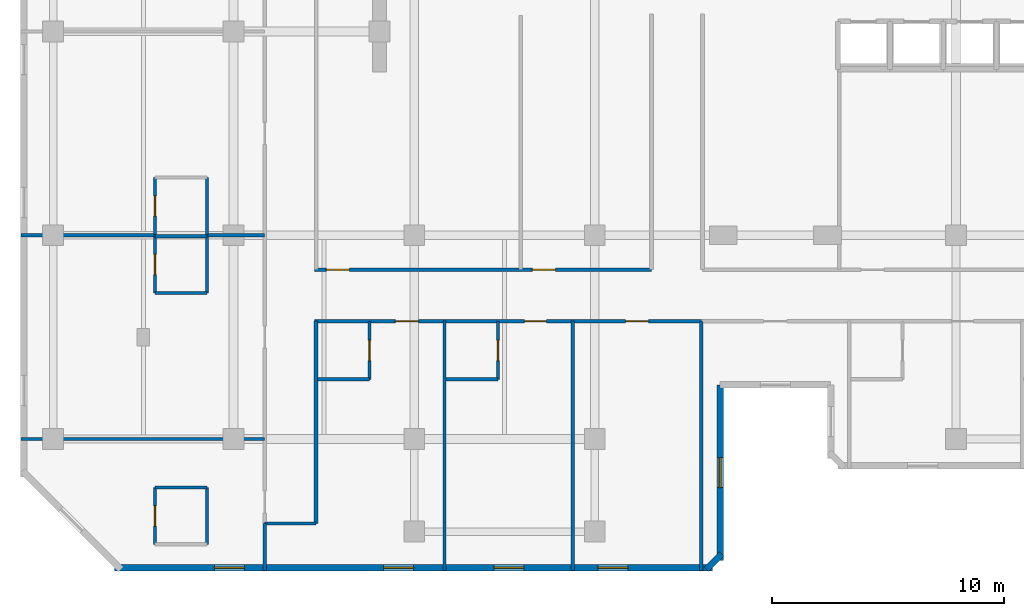
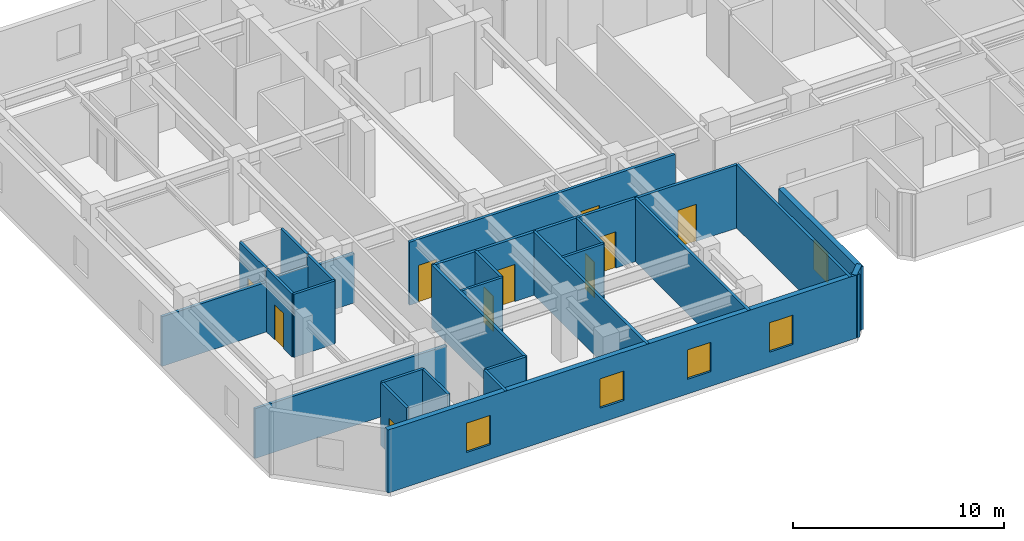
# One storey, part 4 of 10: 27 walls, 10 doors, 5 windows, 15 openings.
"""IFC4 building model written with IfcOpenShell, lengths in metres."""

import ifcopenshell
import ifcopenshell.guid

model = None  # the IFC model being written
_history = None  # IfcOwnerHistory: only IFC2X3 demands one
_inside = {}  # id of a spatial element -> (the spatial element, [elements in it])
_under = {}  # id of a project, library or spatial element -> (it, [spatial elements below it])
_declared = {}  # id of a project -> (the project, [libraries it declares])
_typed = {}  # id of a type object -> (the type object, [elements of that type])
_made_of = {}  # id of a material, layer set ... -> (it, [elements and type objects made of it])


def new_model(schema):
    """Start an empty IFC model of exactly this schema.

    Asked for "IFC4X3", IfcOpenShell would pick the latest addendum, in which some entities
    have other attributes; the version numbers below select the first issue.
    IFC2X3 requires an IfcOwnerHistory on every rooted entity: one is made here for all.
    """
    global model, _history
    if schema == "IFC4X3":
        model = ifcopenshell.file(schema_version=(4, 3, 0, 0))
    else:
        model = ifcopenshell.file(schema=schema)
    _inside.clear()
    _under.clear()
    _declared.clear()
    _typed.clear()
    _made_of.clear()
    _history = None
    if model.schema == "IFC2X3":
        org = make("IfcOrganization", Name="unknown")
        user = make(
            "IfcPersonAndOrganization",
            ThePerson=make("IfcPerson", FamilyName="unknown"),
            TheOrganization=org,
        )
        app = make(
            "IfcApplication",
            ApplicationDeveloper=org,
            Version="unknown",
            ApplicationFullName="unknown",
            ApplicationIdentifier="unknown",
        )
        _history = make(
            "IfcOwnerHistory",
            OwningUser=user,
            OwningApplication=app,
            ChangeAction="ADDED",
            CreationDate=0,
        )
    return model


def make(cls, **values):
    """One entity of the class cls with the attributes given. An attribute that is None is left unset."""
    return model.create_entity(
        cls, **{name: value for name, value in values.items() if value is not None}
    )


def rooted(cls, **values):
    """An entity with a GlobalId (a new one), such as an element, a storey or a relation."""
    return make(cls, GlobalId=ifcopenshell.guid.new(), OwnerHistory=_history, **values)


def si_unit(unit_type, name, prefix=None):
    """IfcSIUnit, for example si_unit("LENGTHUNIT", "METRE", prefix="MILLI")."""
    return make("IfcSIUnit", UnitType=unit_type, Prefix=prefix, Name=name)


def assignment(units):
    """IfcUnitAssignment: the units of a project."""
    return None if units is None else make("IfcUnitAssignment", Units=units)


def point(xyz):
    """IfcCartesianPoint."""
    return None if xyz is None else make("IfcCartesianPoint", Coordinates=xyz)


def direction(xyz):
    """IfcDirection."""
    return None if xyz is None else make("IfcDirection", DirectionRatios=xyz)


def frame(location, z_axis=None, x_axis=None):
    """IfcAxis2Placement3D, a coordinate frame: its origin and axes. An axis left out is left unset."""
    return make(
        "IfcAxis2Placement3D",
        Location=point(location),
        Axis=direction(z_axis),
        RefDirection=direction(x_axis),
    )


def frame_2d(location, x_axis=None):
    """IfcAxis2Placement2D, a coordinate frame in the plane: its origin and x axis."""
    return make(
        "IfcAxis2Placement2D", Location=point(location), RefDirection=direction(x_axis)
    )


def origin():
    """The frame at (0, 0, 0) with its axes left unset."""
    return frame((0.0, 0.0, 0.0))


def place(relative_to, where):
    """IfcLocalPlacement: puts the frame where relative to a parent placement (None: the world)."""
    return make(
        "IfcLocalPlacement", PlacementRelTo=relative_to, RelativePlacement=where
    )


def context(
    kind, dimensions, precision=None, world=None, true_north=None, identifier=None
):
    """IfcGeometricRepresentationContext, for example the 3D "Model" context."""
    return make(
        "IfcGeometricRepresentationContext",
        ContextIdentifier=identifier,
        ContextType=kind,
        CoordinateSpaceDimension=dimensions,
        Precision=precision,
        WorldCoordinateSystem=world,
        TrueNorth=true_north,
    )


def subcontext(parent, identifier, kind, view, scale=None):
    """IfcGeometricRepresentationSubContext, for example "Body" below "Model"."""
    return make(
        "IfcGeometricRepresentationSubContext",
        ContextIdentifier=identifier,
        ContextType=kind,
        ParentContext=parent,
        TargetScale=scale,
        TargetView=view,
    )


def project(units=None, contexts=None):
    """IfcProject with its units and contexts."""
    return rooted(
        "IfcProject",
        Name="project",
        RepresentationContexts=contexts,
        UnitsInContext=assignment(units),
    )


def spatial(cls, under=None, at=None, **own):
    """A site, building, storey or space (cls), placed at a placement, below another one or the project."""
    s = rooted(cls, ObjectPlacement=at, **own)
    if under is not None:
        _under.setdefault(under.id(), (under, []))[1].append(s)
    return s


def profile(cls, at=None, kind="AREA", **sizes):
    """A parametric profile (cls). Its sizes go by their IFC names, for example OverallWidth=200.0."""
    return make(cls, ProfileType=kind, Position=at, **sizes)


def rectangle(**sizes):
    """IfcRectangleProfileDef."""
    return profile("IfcRectangleProfileDef", **sizes)


def extrude(swept, where, along, depth):
    """IfcExtrudedAreaSolid: the profile swept, set in the frame where, extruded along a direction by depth."""
    return make(
        "IfcExtrudedAreaSolid",
        SweptArea=swept,
        Position=where,
        ExtrudedDirection=direction(along),
        Depth=depth,
    )


def shape(context_of_items, identifier, shape_type, items):
    """IfcShapeRepresentation: the items that make up one representation, for example the "Body"."""
    return make(
        "IfcShapeRepresentation",
        ContextOfItems=context_of_items,
        RepresentationIdentifier=identifier,
        RepresentationType=shape_type,
        Items=items,
    )


def material(Name=None, Category=None):
    """IfcMaterial."""
    return make("IfcMaterial", Name=Name, Category=Category)


def layer(
    of_material, thickness, ventilated=None, Name=None, Category=None, Priority=None
):
    """IfcMaterialLayer: one layer of a wall or slab, of a material (None: an air gap)."""
    return make(
        "IfcMaterialLayer",
        Material=of_material,
        LayerThickness=thickness,
        IsVentilated=ventilated,
        Name=Name,
        Category=Category,
        Priority=Priority,
    )


def layer_set(layers, Name=None):
    """IfcMaterialLayerSet."""
    return make("IfcMaterialLayerSet", MaterialLayers=layers, LayerSetName=Name)


def made_of(thing, what):
    """Note that an element or type object is made of a material, layer set ...; save() writes the relation."""
    if what is not None:
        _made_of.setdefault(what.id(), (what, []))[1].append(thing)
    return thing


def type_object(cls, material=None, **own):
    """A type object (cls), such as IfcWallType, which elements share."""
    return made_of(rooted(cls, **own), material)


def element(
    cls,
    number,
    at=None,
    inside=None,
    cuts=None,
    type_object=None,
    material=None,
    context=None,
    identifier="Body",
    shape_type=None,
    held_by="IfcProductDefinitionShape",
    body=None,
    shapes=None,
    **own,
):
    """One element of the class cls, such as IfcWall. Its Tag is "e" and its number.

    at: its placement. inside: the storey or other place that contains it. cuts: it is an
    opening in that element (IfcRelVoidsElement). A single representation is given by context,
    identifier, shape_type and body (its items); several are given by shapes. held_by: the class
    of the entity that holds the representations. save() writes the other relations.
    """
    e = rooted(cls, Tag="e%d" % number, ObjectPlacement=at, **own)
    if body is not None:
        shapes = [shape(context, identifier, shape_type, body)]
    if shapes is not None:
        e.Representation = make(held_by, Representations=shapes)
    if inside is not None:
        _inside.setdefault(inside.id(), (inside, []))[1].append(e)
    if cuts is not None:
        rooted(
            "IfcRelVoidsElement", RelatingBuildingElement=cuts, RelatedOpeningElement=e
        )
    if type_object is not None:
        _typed.setdefault(type_object.id(), (type_object, []))[1].append(e)
    return made_of(e, material)


def fill(opening, filler):
    """IfcRelFillsElement: the door or window that sits in an opening."""
    return rooted(
        "IfcRelFillsElement",
        RelatingOpeningElement=opening,
        RelatedBuildingElement=filler,
    )


def aggregate(whole, parts):
    """IfcRelAggregates: a whole, such as a stair, and the parts it consists of."""
    return rooted("IfcRelAggregates", RelatingObject=whole, RelatedObjects=parts)


def save(model, path):
    """Write the relations noted so far, then the file.

    IfcRelAggregates (storeys below a building ...), IfcRelContainedInSpatialStructure (elements
    in a storey), IfcRelDefinesByType, IfcRelAssociatesMaterial and IfcRelDeclares: one each for
    every whole, place, type object, material and project.
    """
    for whole, parts in _under.values():
        aggregate(whole, parts)
    for where, things in _inside.values():
        rooted(
            "IfcRelContainedInSpatialStructure",
            RelatedElements=things,
            RelatingStructure=where,
        )
    for kind, things in _typed.values():
        rooted("IfcRelDefinesByType", RelatedObjects=things, RelatingType=kind)
    for what, things in _made_of.values():
        rooted("IfcRelAssociatesMaterial", RelatedObjects=things, RelatingMaterial=what)
    for by, libraries in _declared.values():
        rooted("IfcRelDeclares", RelatingContext=by, RelatedDefinitions=libraries)
    model.write(path)


model = new_model("IFC4")

# Units and contexts
model_context = context("Model", 3, precision=1e-05, world=origin(), true_north=direction((0.0, 1.0)))
body_context = subcontext(model_context, "Body", "Model", "MODEL_VIEW")
ifc_project = project(units=[si_unit("LENGTHUNIT", "METRE"), si_unit("AREAUNIT", "SQUARE_METRE"), si_unit("VOLUMEUNIT", "CUBIC_METRE"), si_unit("PLANEANGLEUNIT", "RADIAN"), si_unit("MASSUNIT", "GRAM", prefix="KILO")], contexts=[model_context])

# Site, building, storey
site_placement = place(None, origin())
site = spatial("IfcSite", under=ifc_project, at=site_placement, CompositionType="ELEMENT")
building_placement = place(site_placement, origin())
building = spatial("IfcBuilding", under=site, at=building_placement, Name="Kestravale Grand Hotel", CompositionType="ELEMENT")
storey_placement = place(building_placement, frame((0.0, 0.0, 216.300048828125)))
storey = spatial("IfcBuildingStorey", under=building, at=storey_placement, Name="L54", CompositionType="ELEMENT", Elevation=216.300048828125)

# Wall, openings, windows
ifc_material_1 = material(Name="Precast concrete f'c 45 MPa", Category="concrete")
ifc_layer_1 = layer(ifc_material_1, 0.280029296875)
ifc_layer_set_1 = layer_set([ifc_layer_1], Name="EW-PREC-280")
wall_type_1 = type_object("IfcWallType", Name="EW-PREC-280", PredefinedType="SOLIDWALL", material=ifc_layer_set_1)
wall_1_placement = place(storey_placement, frame((10.4599609375, 5.639892578125, 0.0), z_axis=(0.0, 0.0, 1.0), x_axis=(1.0, 0.0, 0.0)))
wall_1 = element("IfcWall", 1, at=wall_1_placement, inside=storey, type_object=wall_type_1, Name="L54 fluted precast facade wall 1", PredefinedType="SOLIDWALL", context=body_context, shape_type="SweptSolid", body=[
    extrude(rectangle(XDim=25.830078125, YDim=0.280029296875, at=frame_2d((12.9150390625, 0.0))), origin(), (0.0, 0.0, 1.0), 3.64990234375),
])
opening_1_placement = place(wall_1_placement, frame((4.304931640625, 0.0, 0.85009765625)))
opening_1 = element("IfcOpeningElement", 2, at=opening_1_placement, cuts=wall_1, Name="Opening W-GUEST-1300", PredefinedType="OPENING", context=body_context, shape_type="SweptSolid", body=[
    extrude(rectangle(XDim=1.300048828125, YDim=1.699951171875, at=frame_2d((0.64990234375, 0.85009765625))), frame((0.0, 0.14990234375, 0.0), z_axis=(0.0, -1.0, 0.0), x_axis=(1.0, 0.0, 0.0)), (0.0, 0.0, 1.0), 0.300048828125),
])
opening_2_placement = place(wall_1_placement, frame((11.614990234375, 0.0, 0.85009765625)))
opening_2 = element("IfcOpeningElement", 3, at=opening_2_placement, cuts=wall_1, Name="Opening W-GUEST-1300", PredefinedType="OPENING", context=body_context, shape_type="SweptSolid", body=[
    extrude(rectangle(XDim=1.300048828125, YDim=1.699951171875, at=frame_2d((0.64990234375, 0.85009765625))), frame((0.0, 0.14990234375, 0.0), z_axis=(0.0, -1.0, 0.0), x_axis=(1.0, 0.0, 0.0)), (0.0, 0.0, 1.0), 0.300048828125),
])
opening_3_placement = place(wall_1_placement, frame((20.875, 0.0, 0.85009765625)))
opening_3 = element("IfcOpeningElement", 4, at=opening_3_placement, cuts=wall_1, Name="Opening W-GUEST-1300", PredefinedType="OPENING", context=body_context, shape_type="SweptSolid", body=[
    extrude(rectangle(XDim=1.300048828125, YDim=1.699951171875, at=frame_2d((0.64990234375, 0.85009765625))), frame((0.0, 0.14990234375, 0.0), z_axis=(0.0, -1.0, 0.0), x_axis=(1.0, 0.0, 0.0)), (0.0, 0.0, 1.0), 0.300048828125),
])
opening_4_placement = place(wall_1_placement, frame((16.3798828125, 0.0, 0.85009765625)))
opening_4 = element("IfcOpeningElement", 5, at=opening_4_placement, cuts=wall_1, Name="Opening W-GUEST-1300", PredefinedType="OPENING", context=body_context, shape_type="SweptSolid", body=[
    extrude(rectangle(XDim=1.300048828125, YDim=1.699951171875, at=frame_2d((0.64990234375, 0.85009765625))), frame((0.0, 0.14990234375, 0.0), z_axis=(0.0, -1.0, 0.0), x_axis=(1.0, 0.0, 0.0)), (0.0, 0.0, 1.0), 0.300048828125),
])
ifc_material_2 = material(Name="Insulated low-E double glazing in aluminium frame", Category="aluminium")
window_type = type_object("IfcWindowType", Name="W-GUEST-1300", PartitioningType="SINGLE_PANEL", PredefinedType="WINDOW", material=ifc_material_2)
window_1_placement = place(opening_1_placement, origin())
window_1 = element("IfcWindow", 6, at=window_1_placement, inside=storey, type_object=window_type, Name="L54 exterior window 1.1", OverallHeight=1.699951171875, OverallWidth=1.300048828125, PartitioningType="SINGLE_PANEL", PredefinedType="WINDOW", context=body_context, shape_type="SweptSolid", body=[
    extrude(rectangle(XDim=1.300048828125, YDim=1.699951171875, at=frame_2d((0.64990234375, 0.85009765625))), frame((0.0, 0.030029296875, 0.0), z_axis=(0.0, -1.0, 0.0), x_axis=(1.0, 0.0, 0.0)), (0.0, 0.0, 1.0), 0.06005859375),
])
fill(opening_1, window_1)
window_2_placement = place(opening_2_placement, origin())
window_2 = element("IfcWindow", 7, at=window_2_placement, inside=storey, type_object=window_type, Name="L54 exterior window 1.2", OverallHeight=1.699951171875, OverallWidth=1.300048828125, PartitioningType="SINGLE_PANEL", PredefinedType="WINDOW", context=body_context, shape_type="SweptSolid", body=[
    extrude(rectangle(XDim=1.300048828125, YDim=1.699951171875, at=frame_2d((0.64990234375, 0.85009765625))), frame((0.0, 0.030029296875, 0.0), z_axis=(0.0, -1.0, 0.0), x_axis=(1.0, 0.0, 0.0)), (0.0, 0.0, 1.0), 0.06005859375),
])
fill(opening_2, window_2)
window_3_placement = place(opening_3_placement, origin())
window_3 = element("IfcWindow", 8, at=window_3_placement, inside=storey, type_object=window_type, Name="L54 exterior window 1.3", OverallHeight=1.699951171875, OverallWidth=1.300048828125, PartitioningType="SINGLE_PANEL", PredefinedType="WINDOW", context=body_context, shape_type="SweptSolid", body=[
    extrude(rectangle(XDim=1.300048828125, YDim=1.699951171875, at=frame_2d((0.64990234375, 0.85009765625))), frame((0.0, 0.030029296875, 0.0), z_axis=(0.0, -1.0, 0.0), x_axis=(1.0, 0.0, 0.0)), (0.0, 0.0, 1.0), 0.06005859375),
])
fill(opening_3, window_3)
window_4_placement = place(opening_4_placement, origin())
window_4 = element("IfcWindow", 9, at=window_4_placement, inside=storey, type_object=window_type, Name="L54 guestroom envelope window 1", OverallHeight=1.699951171875, OverallWidth=1.300048828125, PartitioningType="SINGLE_PANEL", PredefinedType="WINDOW", context=body_context, shape_type="SweptSolid", body=[
    extrude(rectangle(XDim=1.300048828125, YDim=1.699951171875, at=frame_2d((0.64990234375, 0.85009765625))), frame((0.0, 0.030029296875, 0.0), z_axis=(0.0, -1.0, 0.0), x_axis=(1.0, 0.0, 0.0)), (0.0, 0.0, 1.0), 0.06005859375),
])
fill(opening_4, window_4)

# Wall
wall_2_placement = place(storey_placement, frame((36.022705078125, 5.57080078125, 0.0), z_axis=(0.0, 0.0, 1.0), x_axis=(0.707106781187, 0.707106781187, 0.0)))
element("IfcWall", 10, at=wall_2_placement, inside=storey, type_object=wall_type_1, Name="L54 fluted precast facade wall 2", PredefinedType="SOLIDWALL", context=body_context, shape_type="SweptSolid", body=[
    extrude(rectangle(XDim=0.928466796875, YDim=0.280029296875, at=frame_2d((0.46435546875, 0.0))), origin(), (0.0, 0.0, 1.0), 3.64990234375),
])

# Wall, opening, window
wall_3_placement = place(storey_placement, frame((36.610107421875, 5.9599609375, 0.0), z_axis=(0.0, 0.0, 1.0), x_axis=(0.0, 1.0, 0.0)))
wall_3 = element("IfcWall", 11, at=wall_3_placement, inside=storey, type_object=wall_type_1, Name="L54 fluted precast facade wall 3", PredefinedType="SOLIDWALL", context=body_context, shape_type="SweptSolid", body=[
    extrude(rectangle(XDim=7.580078125, YDim=0.280029296875, at=frame_2d((3.7900390625, 0.0))), origin(), (0.0, 0.0, 1.0), 3.64990234375),
])
opening_5_placement = place(wall_3_placement, frame((3.139892578125, 0.0, 0.85009765625)))
opening_5 = element("IfcOpeningElement", 12, at=opening_5_placement, cuts=wall_3, Name="Opening W-GUEST-1300", PredefinedType="OPENING", context=body_context, shape_type="SweptSolid", body=[
    extrude(rectangle(XDim=1.300048828125, YDim=1.699951171875, at=frame_2d((0.64990234375, 0.85009765625))), frame((0.0, 0.14990234375, 0.0), z_axis=(0.0, -1.0, 0.0), x_axis=(1.0, 0.0, 0.0)), (0.0, 0.0, 1.0), 0.300048828125),
])
window_5_placement = place(opening_5_placement, origin())
window_5 = element("IfcWindow", 13, at=window_5_placement, inside=storey, type_object=window_type, Name="L54 exterior window 3.1", OverallHeight=1.699951171875, OverallWidth=1.300048828125, PartitioningType="SINGLE_PANEL", PredefinedType="WINDOW", context=body_context, shape_type="SweptSolid", body=[
    extrude(rectangle(XDim=1.300048828125, YDim=1.699951171875, at=frame_2d((0.64990234375, 0.85009765625))), frame((0.0, 0.030029296875, 0.0), z_axis=(0.0, -1.0, 0.0), x_axis=(1.0, 0.0, 0.0)), (0.0, 0.0, 1.0), 0.06005859375),
])
fill(opening_5, window_5)

# Wall, openings, doors
ifc_material_3 = material(Name="Acoustic fire-rated gypsum board partition", Category="other")
ifc_layer_2 = layer(ifc_material_3, 0.159912109375)
ifc_layer_set_2 = layer_set([ifc_layer_2], Name="IW-CORR-160")
wall_type_2 = type_object("IfcWallType", Name="IW-CORR-160", PredefinedType="PARTITIONING", material=ifc_layer_set_2)
wall_4_placement = place(storey_placement, frame((19.10009765625, 18.510009765625, 0.0), z_axis=(0.0, 0.0, 1.0), x_axis=(1.0, 0.0, 0.0)))
wall_4 = element("IfcWall", 14, at=wall_4_placement, inside=storey, type_object=wall_type_2, Name="W-L54-CW-N", PredefinedType="PARTITIONING", context=body_context, shape_type="SweptSolid", body=[
    extrude(rectangle(XDim=14.5498046875, YDim=0.159912109375, at=frame_2d((7.27490234375, 0.0))), origin(), (0.0, 0.0, 1.0), 3.64990234375),
])
opening_6_placement = place(wall_4_placement, frame((0.5, 0.0, 0.0)))
opening_6 = element("IfcOpeningElement", 15, at=opening_6_placement, cuts=wall_4, Name="Opening D-GUEST-1000", PredefinedType="OPENING", context=body_context, shape_type="SweptSolid", body=[
    extrude(rectangle(XDim=1.0, YDim=2.14990234375, at=frame_2d((0.5, 1.074951171875))), frame((0.0, 0.08984375, 0.0), z_axis=(0.0, -1.0, 0.0), x_axis=(1.0, 0.0, 0.0)), (0.0, 0.0, 1.0), 0.179931640625),
])
opening_7_placement = place(wall_4_placement, frame((9.39990234375, 0.0, 0.0)))
opening_7 = element("IfcOpeningElement", 16, at=opening_7_placement, cuts=wall_4, Name="Opening D-GUEST-1000", PredefinedType="OPENING", context=body_context, shape_type="SweptSolid", body=[
    extrude(rectangle(XDim=1.0, YDim=2.14990234375, at=frame_2d((0.5, 1.074951171875))), frame((0.0, 0.08984375, 0.0), z_axis=(0.0, -1.0, 0.0), x_axis=(1.0, 0.0, 0.0)), (0.0, 0.0, 1.0), 0.179931640625),
])
ifc_material_4 = material(Name="Accessible walnut veneer hotel entrance fire door", Category="wood")
door_type_1 = type_object("IfcDoorType", Name="D-GUEST-1000", OperationType="NOTDEFINED", PredefinedType="DOOR", material=ifc_material_4)
door_1_placement = place(opening_6_placement, origin())
door_1 = element("IfcDoor", 17, at=door_1_placement, inside=storey, type_object=door_type_1, Name="D-L54-RECL-W1", OperationType="SINGLE_SWING_LEFT", OverallHeight=2.14990234375, OverallWidth=1.0, PredefinedType="DOOR", context=body_context, shape_type="SweptSolid", body=[
    extrude(rectangle(XDim=1.0, YDim=2.14990234375, at=frame_2d((0.5, 1.074951171875))), frame((0.0, 0.02490234375, 0.0), z_axis=(0.0, -1.0, 0.0), x_axis=(1.0, 0.0, 0.0)), (0.0, 0.0, 1.0), 0.050048828125),
])
fill(opening_6, door_1)
door_2_placement = place(opening_7_placement, origin())
door_2 = element("IfcDoor", 18, at=door_2_placement, inside=storey, type_object=door_type_1, Name="D-L54-RECL-W2", OperationType="SINGLE_SWING_RIGHT", OverallHeight=2.14990234375, OverallWidth=1.0, PredefinedType="DOOR", context=body_context, shape_type="SweptSolid", body=[
    extrude(rectangle(XDim=1.0, YDim=2.14990234375, at=frame_2d((0.5, 1.074951171875))), frame((0.0, 0.02490234375, 0.0), z_axis=(0.0, -1.0, 0.0), x_axis=(1.0, 0.0, 0.0)), (0.0, 0.0, 1.0), 0.050048828125),
])
fill(opening_7, door_2)

wall_5_placement = place(storey_placement, frame((19.10009765625, 16.2900390625, 0.0), z_axis=(0.0, 0.0, 1.0), x_axis=(1.0, 0.0, 0.0)))
wall_5 = element("IfcWall", 19, at=wall_5_placement, inside=storey, type_object=wall_type_2, Name="W-L54-CW-S", PredefinedType="PARTITIONING", context=body_context, shape_type="SweptSolid", body=[
    extrude(rectangle(XDim=16.699951171875, YDim=0.159912109375, at=frame_2d((8.35009765625, 0.0))), origin(), (0.0, 0.0, 1.0), 3.64990234375),
])
opening_8_placement = place(wall_5_placement, frame((3.48828125, 0.0, 0.0)))
opening_8 = element("IfcOpeningElement", 20, at=opening_8_placement, cuts=wall_5, Name="Opening D-GUEST-1000", PredefinedType="OPENING", context=body_context, shape_type="SweptSolid", body=[
    extrude(rectangle(XDim=1.0, YDim=2.14990234375, at=frame_2d((0.5, 1.074951171875))), frame((0.0, 0.08984375, 0.0), z_axis=(0.0, -1.0, 0.0), x_axis=(1.0, 0.0, 0.0)), (0.0, 0.0, 1.0), 0.179931640625),
])
opening_9_placement = place(wall_5_placement, frame((9.06005859375, 0.0, 0.0)))
opening_9 = element("IfcOpeningElement", 21, at=opening_9_placement, cuts=wall_5, Name="Opening D-GUEST-950", PredefinedType="OPENING", context=body_context, shape_type="SweptSolid", body=[
    extrude(rectangle(XDim=0.949951171875, YDim=2.10009765625, at=frame_2d((0.47509765625, 1.050048828125))), frame((0.0, 0.08984375, 0.0), z_axis=(0.0, -1.0, 0.0), x_axis=(1.0, 0.0, 0.0)), (0.0, 0.0, 1.0), 0.179931640625),
])
opening_10_placement = place(wall_5_placement, frame((13.426513671875, 0.0, 0.0)))
opening_10 = element("IfcOpeningElement", 22, at=opening_10_placement, cuts=wall_5, Name="Opening D-GUEST-1000", PredefinedType="OPENING", context=body_context, shape_type="SweptSolid", body=[
    extrude(rectangle(XDim=1.0, YDim=2.14990234375, at=frame_2d((0.5, 1.074951171875))), frame((0.0, 0.08984375, 0.0), z_axis=(0.0, -1.0, 0.0), x_axis=(1.0, 0.0, 0.0)), (0.0, 0.0, 1.0), 0.179931640625),
])
door_3_placement = place(opening_8_placement, origin())
door_3 = element("IfcDoor", 23, at=door_3_placement, inside=storey, type_object=door_type_1, Name="D-L54-U01-ENT", OperationType="SINGLE_SWING_RIGHT", OverallHeight=2.14990234375, OverallWidth=1.0, PredefinedType="DOOR", context=body_context, shape_type="SweptSolid", body=[
    extrude(rectangle(XDim=1.0, YDim=2.14990234375, at=frame_2d((0.5, 1.074951171875))), frame((0.0, 0.02490234375, 0.0), z_axis=(0.0, -1.0, 0.0), x_axis=(1.0, 0.0, 0.0)), (0.0, 0.0, 1.0), 0.050048828125),
])
fill(opening_8, door_3)
door_4_placement = place(opening_10_placement, origin())
door_4 = element("IfcDoor", 24, at=door_4_placement, inside=storey, type_object=door_type_1, Name="D-L54-AMW", OperationType="SINGLE_SWING_LEFT", OverallHeight=2.14990234375, OverallWidth=1.0, PredefinedType="DOOR", context=body_context, shape_type="SweptSolid", body=[
    extrude(rectangle(XDim=1.0, YDim=2.14990234375, at=frame_2d((0.5, 1.074951171875))), frame((0.0, 0.02490234375, 0.0), z_axis=(0.0, -1.0, 0.0), x_axis=(1.0, 0.0, 0.0)), (0.0, 0.0, 1.0), 0.050048828125),
])
fill(opening_10, door_4)
ifc_material_5 = material(Name="Walnut veneer hotel guestroom entrance fire door", Category="wood")
door_type_2 = type_object("IfcDoorType", Name="D-GUEST-950", OperationType="NOTDEFINED", PredefinedType="DOOR", material=ifc_material_5)
door_5_placement = place(opening_9_placement, origin())
door_5 = element("IfcDoor", 25, at=door_5_placement, inside=storey, type_object=door_type_2, Name="D-L54-U02-ENT", OperationType="SINGLE_SWING_RIGHT", OverallHeight=2.10009765625, OverallWidth=0.949951171875, PredefinedType="DOOR", context=body_context, shape_type="SweptSolid", body=[
    extrude(rectangle(XDim=0.949951171875, YDim=2.10009765625, at=frame_2d((0.47509765625, 1.050048828125))), frame((0.0, 0.02490234375, 0.0), z_axis=(0.0, -1.0, 0.0), x_axis=(1.0, 0.0, 0.0)), (0.0, 0.0, 1.0), 0.050048828125),
])
fill(opening_9, door_5)

# Wall
wall_6_placement = place(storey_placement, frame((19.159912109375, 7.550048828125, 0.0), z_axis=(0.0, 0.0, 1.0), x_axis=(0.0, 1.0, 0.0)))
element("IfcWall", 26, at=wall_6_placement, inside=storey, type_object=wall_type_2, Name="W-L54-SW-E", PredefinedType="PARTITIONING", context=body_context, shape_type="SweptSolid", body=[
    extrude(rectangle(XDim=8.739990234375, YDim=0.159912109375, at=frame_2d((4.3701171875, 0.0))), origin(), (0.0, 0.0, 1.0), 3.64990234375),
])

# Wall, opening, door
ifc_material_6 = material(Name="Moisture-resistant tile-backer plumbing chase wall", Category="other")
ifc_layer_3 = layer(ifc_material_6, 0.139892578125)
ifc_layer_set_3 = layer_set([ifc_layer_3], Name="IW-PLB-140")
wall_type_3 = type_object("IfcWallType", Name="IW-PLB-140", PredefinedType="PLUMBINGWALL", material=ifc_layer_set_3)
wall_7_placement = place(storey_placement, frame((21.469970703125, 13.780029296875, 0.0), z_axis=(0.0, 0.0, 1.0), x_axis=(0.0, 1.0, 0.0)))
wall_7 = element("IfcWall", 27, at=wall_7_placement, inside=storey, type_object=wall_type_3, Name="W-L54-U01-BE", PredefinedType="PLUMBINGWALL", context=body_context, shape_type="SweptSolid", body=[
    extrude(rectangle(XDim=2.489990234375, YDim=0.139892578125, at=frame_2d((1.2451171875, 0.0))), origin(), (0.0, 0.0, 1.0), 3.64990234375),
])
opening_11_placement = place(wall_7_placement, frame((0.804931640625, 0.0, 0.0)))
opening_11 = element("IfcOpeningElement", 28, at=opening_11_placement, cuts=wall_7, Name="Opening D-BATH-880", PredefinedType="OPENING", context=body_context, shape_type="SweptSolid", body=[
    extrude(rectangle(XDim=0.8798828125, YDim=2.050048828125, at=frame_2d((0.43994140625, 1.02490234375))), frame((0.0, 0.079833984375, 0.0), z_axis=(0.0, -1.0, 0.0), x_axis=(1.0, 0.0, 0.0)), (0.0, 0.0, 1.0), 0.159912109375),
])
ifc_material_7 = material(Name="Moisture-sealed walnut en-suite bathroom door", Category="wood")
door_type_3 = type_object("IfcDoorType", Name="D-BATH-880", OperationType="NOTDEFINED", PredefinedType="DOOR", material=ifc_material_7)
door_6_placement = place(opening_11_placement, origin())
door_6 = element("IfcDoor", 29, at=door_6_placement, inside=storey, type_object=door_type_3, Name="D-L54-U01-BATH", OperationType="SINGLE_SWING_LEFT", OverallHeight=2.050048828125, OverallWidth=0.8798828125, PredefinedType="DOOR", context=body_context, shape_type="SweptSolid", body=[
    extrude(rectangle(XDim=0.8798828125, YDim=2.050048828125, at=frame_2d((0.43994140625, 1.02490234375))), frame((0.0, 0.02490234375, 0.0), z_axis=(0.0, -1.0, 0.0), x_axis=(1.0, 0.0, 0.0)), (0.0, 0.0, 1.0), 0.050048828125),
])
fill(opening_11, door_6)

# Wall
wall_8_placement = place(storey_placement, frame((19.219970703125, 13.780029296875, 0.0), z_axis=(0.0, 0.0, 1.0), x_axis=(1.0, 0.0, 0.0)))
element("IfcWall", 30, at=wall_8_placement, inside=storey, type_object=wall_type_3, Name="W-L54-U01-BS", PredefinedType="PLUMBINGWALL", context=body_context, shape_type="SweptSolid", body=[
    extrude(rectangle(XDim=2.25, YDim=0.139892578125, at=frame_2d((1.125, 0.0))), origin(), (0.0, 0.0, 1.0), 3.64990234375),
])

# Wall, opening, door
wall_9_placement = place(storey_placement, frame((27.0166015625, 13.780029296875, 0.0), z_axis=(0.0, 0.0, 1.0), x_axis=(0.0, 1.0, 0.0)))
wall_9 = element("IfcWall", 31, at=wall_9_placement, inside=storey, type_object=wall_type_3, Name="W-L54-U02-BE", PredefinedType="PLUMBINGWALL", context=body_context, shape_type="SweptSolid", body=[
    extrude(rectangle(XDim=2.489990234375, YDim=0.139892578125, at=frame_2d((1.2451171875, 0.0))), origin(), (0.0, 0.0, 1.0), 3.64990234375),
])
opening_12_placement = place(wall_9_placement, frame((0.804931640625, 0.0, 0.0)))
opening_12 = element("IfcOpeningElement", 32, at=opening_12_placement, cuts=wall_9, Name="Opening D-BATH-880", PredefinedType="OPENING", context=body_context, shape_type="SweptSolid", body=[
    extrude(rectangle(XDim=0.8798828125, YDim=2.050048828125, at=frame_2d((0.43994140625, 1.02490234375))), frame((0.0, 0.079833984375, 0.0), z_axis=(0.0, -1.0, 0.0), x_axis=(1.0, 0.0, 0.0)), (0.0, 0.0, 1.0), 0.159912109375),
])
door_7_placement = place(opening_12_placement, origin())
door_7 = element("IfcDoor", 33, at=door_7_placement, inside=storey, type_object=door_type_3, Name="D-L54-U02-BATH", OperationType="SINGLE_SWING_LEFT", OverallHeight=2.050048828125, OverallWidth=0.8798828125, PredefinedType="DOOR", context=body_context, shape_type="SweptSolid", body=[
    extrude(rectangle(XDim=0.8798828125, YDim=2.050048828125, at=frame_2d((0.43994140625, 1.02490234375))), frame((0.0, 0.02490234375, 0.0), z_axis=(0.0, -1.0, 0.0), x_axis=(1.0, 0.0, 0.0)), (0.0, 0.0, 1.0), 0.050048828125),
])
fill(opening_12, door_7)

# Wall
wall_10_placement = place(storey_placement, frame((24.7666015625, 13.780029296875, 0.0), z_axis=(0.0, 0.0, 1.0), x_axis=(1.0, 0.0, 0.0)))
element("IfcWall", 34, at=wall_10_placement, inside=storey, type_object=wall_type_3, Name="W-L54-U02-BS", PredefinedType="PLUMBINGWALL", context=body_context, shape_type="SweptSolid", body=[
    extrude(rectangle(XDim=2.25, YDim=0.139892578125, at=frame_2d((1.125, 0.0))), origin(), (0.0, 0.0, 1.0), 3.64990234375),
])

# Wall, opening, door
wall_11_placement = place(storey_placement, frame((12.199951171875, 6.64990234375, 0.0), z_axis=(0.0, 0.0, 1.0), x_axis=(0.0, 1.0, 0.0)))
wall_11 = element("IfcWall", 35, at=wall_11_placement, inside=storey, type_object=wall_type_3, Name="W-L54-U05-BW", PredefinedType="PLUMBINGWALL", context=body_context, shape_type="SweptSolid", body=[
    extrude(rectangle(XDim=2.4501953125, YDim=0.139892578125, at=frame_2d((1.22509765625, 0.0))), origin(), (0.0, 0.0, 1.0), 3.64990234375),
])
opening_13_placement = place(wall_11_placement, frame((0.784912109375, 0.0, 0.0)))
opening_13 = element("IfcOpeningElement", 36, at=opening_13_placement, cuts=wall_11, Name="Opening D-BATH-880", PredefinedType="OPENING", context=body_context, shape_type="SweptSolid", body=[
    extrude(rectangle(XDim=0.8798828125, YDim=2.050048828125, at=frame_2d((0.43994140625, 1.02490234375))), frame((0.0, 0.079833984375, 0.0), z_axis=(0.0, -1.0, 0.0), x_axis=(1.0, 0.0, 0.0)), (0.0, 0.0, 1.0), 0.159912109375),
])
door_8_placement = place(opening_13_placement, origin())
door_8 = element("IfcDoor", 37, at=door_8_placement, inside=storey, type_object=door_type_3, Name="D-L54-U05-BATH", OperationType="SINGLE_SWING_LEFT", OverallHeight=2.050048828125, OverallWidth=0.8798828125, PredefinedType="DOOR", context=body_context, shape_type="SweptSolid", body=[
    extrude(rectangle(XDim=0.8798828125, YDim=2.050048828125, at=frame_2d((0.43994140625, 1.02490234375))), frame((0.0, 0.02490234375, 0.0), z_axis=(0.0, -1.0, 0.0), x_axis=(1.0, 0.0, 0.0)), (0.0, 0.0, 1.0), 0.050048828125),
])
fill(opening_13, door_8)

# Walls
wall_12_placement = place(storey_placement, frame((14.449951171875, 6.64990234375, 0.0), z_axis=(0.0, 0.0, 1.0), x_axis=(0.0, 1.0, 0.0)))
element("IfcWall", 38, at=wall_12_placement, inside=storey, type_object=wall_type_3, Name="W-L54-U05-BE", PredefinedType="PLUMBINGWALL", context=body_context, shape_type="SweptSolid", body=[
    extrude(rectangle(XDim=2.4501953125, YDim=0.139892578125, at=frame_2d((1.22509765625, 0.0))), origin(), (0.0, 0.0, 1.0), 3.64990234375),
])
wall_13_placement = place(storey_placement, frame((12.199951171875, 9.10009765625, 0.0), z_axis=(0.0, 0.0, 1.0), x_axis=(1.0, 0.0, 0.0)))
element("IfcWall", 39, at=wall_13_placement, inside=storey, type_object=wall_type_3, Name="W-L54-U05-BN", PredefinedType="PLUMBINGWALL", context=body_context, shape_type="SweptSolid", body=[
    extrude(rectangle(XDim=2.25, YDim=0.139892578125, at=frame_2d((1.125, 0.0))), origin(), (0.0, 0.0, 1.0), 3.64990234375),
])

# Wall, opening, door
wall_14_placement = place(storey_placement, frame((12.199951171875, 17.510009765625, 0.0), z_axis=(0.0, 0.0, 1.0), x_axis=(0.0, 1.0, 0.0)))
wall_14 = element("IfcWall", 40, at=wall_14_placement, inside=storey, type_object=wall_type_3, Name="W-L54-U06-BW", PredefinedType="PLUMBINGWALL", context=body_context, shape_type="SweptSolid", body=[
    extrude(rectangle(XDim=2.449951171875, YDim=0.139892578125, at=frame_2d((1.22509765625, 0.0))), origin(), (0.0, 0.0, 1.0), 3.64990234375),
])
opening_14_placement = place(wall_14_placement, frame((0.784912109375, 0.0, 0.0)))
opening_14 = element("IfcOpeningElement", 41, at=opening_14_placement, cuts=wall_14, Name="Opening D-BATH-880", PredefinedType="OPENING", context=body_context, shape_type="SweptSolid", body=[
    extrude(rectangle(XDim=0.8798828125, YDim=2.050048828125, at=frame_2d((0.43994140625, 1.02490234375))), frame((0.0, 0.079833984375, 0.0), z_axis=(0.0, -1.0, 0.0), x_axis=(1.0, 0.0, 0.0)), (0.0, 0.0, 1.0), 0.159912109375),
])
door_9_placement = place(opening_14_placement, origin())
door_9 = element("IfcDoor", 42, at=door_9_placement, inside=storey, type_object=door_type_3, Name="D-L54-U06-BATH", OperationType="SINGLE_SWING_LEFT", OverallHeight=2.050048828125, OverallWidth=0.8798828125, PredefinedType="DOOR", context=body_context, shape_type="SweptSolid", body=[
    extrude(rectangle(XDim=0.8798828125, YDim=2.050048828125, at=frame_2d((0.43994140625, 1.02490234375))), frame((0.0, 0.02490234375, 0.0), z_axis=(0.0, -1.0, 0.0), x_axis=(1.0, 0.0, 0.0)), (0.0, 0.0, 1.0), 0.050048828125),
])
fill(opening_14, door_9)

# Walls
wall_15_placement = place(storey_placement, frame((14.449951171875, 17.510009765625, 0.0), z_axis=(0.0, 0.0, 1.0), x_axis=(0.0, 1.0, 0.0)))
element("IfcWall", 43, at=wall_15_placement, inside=storey, type_object=wall_type_3, Name="W-L54-U06-BE", PredefinedType="PLUMBINGWALL", context=body_context, shape_type="SweptSolid", body=[
    extrude(rectangle(XDim=2.449951171875, YDim=0.139892578125, at=frame_2d((1.22509765625, 0.0))), origin(), (0.0, 0.0, 1.0), 3.64990234375),
])
wall_16_placement = place(storey_placement, frame((12.199951171875, 17.510009765625, 0.0), z_axis=(0.0, 0.0, 1.0), x_axis=(1.0, 0.0, 0.0)))
element("IfcWall", 44, at=wall_16_placement, inside=storey, type_object=wall_type_3, Name="W-L54-U06-BS", PredefinedType="PLUMBINGWALL", context=body_context, shape_type="SweptSolid", body=[
    extrude(rectangle(XDim=2.25, YDim=0.139892578125, at=frame_2d((1.125, 0.0))), origin(), (0.0, 0.0, 1.0), 3.64990234375),
])
wall_17_placement = place(storey_placement, frame((12.199951171875, 19.9599609375, 0.0), z_axis=(0.0, 0.0, 1.0), x_axis=(1.0, 0.0, 0.0)))
element("IfcWall", 45, at=wall_17_placement, inside=storey, type_object=wall_type_3, Name="W-L54-U06-BN", PredefinedType="PLUMBINGWALL", context=body_context, shape_type="SweptSolid", body=[
    extrude(rectangle(XDim=2.25, YDim=0.139892578125, at=frame_2d((1.125, 0.0))), origin(), (0.0, 0.0, 1.0), 3.037841796875),
])

# Wall, opening, door
wall_18_placement = place(storey_placement, frame((12.199951171875, 20.0400390625, 0.0), z_axis=(0.0, 0.0, 1.0), x_axis=(0.0, 1.0, 0.0)))
wall_18 = element("IfcWall", 46, at=wall_18_placement, inside=storey, type_object=wall_type_3, Name="W-L54-U07-BW", PredefinedType="PLUMBINGWALL", context=body_context, shape_type="SweptSolid", body=[
    extrude(rectangle(XDim=2.449951171875, YDim=0.139892578125, at=frame_2d((1.22509765625, 0.0))), origin(), (0.0, 0.0, 1.0), 3.64990234375),
])
opening_15_placement = place(wall_18_placement, frame((0.784912109375, 0.0, 0.0)))
opening_15 = element("IfcOpeningElement", 47, at=opening_15_placement, cuts=wall_18, Name="Opening D-BATH-880", PredefinedType="OPENING", context=body_context, shape_type="SweptSolid", body=[
    extrude(rectangle(XDim=0.8798828125, YDim=2.050048828125, at=frame_2d((0.43994140625, 1.02490234375))), frame((0.0, 0.079833984375, 0.0), z_axis=(0.0, -1.0, 0.0), x_axis=(1.0, 0.0, 0.0)), (0.0, 0.0, 1.0), 0.159912109375),
])
door_10_placement = place(opening_15_placement, origin())
door_10 = element("IfcDoor", 48, at=door_10_placement, inside=storey, type_object=door_type_3, Name="D-L54-U07-BATH", OperationType="SINGLE_SWING_LEFT", OverallHeight=2.050048828125, OverallWidth=0.8798828125, PredefinedType="DOOR", context=body_context, shape_type="SweptSolid", body=[
    extrude(rectangle(XDim=0.8798828125, YDim=2.050048828125, at=frame_2d((0.43994140625, 1.02490234375))), frame((0.0, 0.02490234375, 0.0), z_axis=(0.0, -1.0, 0.0), x_axis=(1.0, 0.0, 0.0)), (0.0, 0.0, 1.0), 0.050048828125),
])
fill(opening_15, door_10)

# Walls
wall_19_placement = place(storey_placement, frame((14.449951171875, 20.0400390625, 0.0), z_axis=(0.0, 0.0, 1.0), x_axis=(0.0, 1.0, 0.0)))
element("IfcWall", 49, at=wall_19_placement, inside=storey, type_object=wall_type_3, Name="W-L54-U07-BE", PredefinedType="PLUMBINGWALL", context=body_context, shape_type="SweptSolid", body=[
    extrude(rectangle(XDim=2.449951171875, YDim=0.139892578125, at=frame_2d((1.22509765625, 0.0))), origin(), (0.0, 0.0, 1.0), 3.64990234375),
])
ifc_material_8 = material(Name="Double-stud STC 52 acoustic demising partition", Category="other")
ifc_layer_4 = layer(ifc_material_8, 0.14990234375)
ifc_layer_set_4 = layer_set([ifc_layer_4], Name="IW-UNIT-150")
wall_type_4 = type_object("IfcWallType", Name="IW-UNIT-150", PredefinedType="PARTITIONING", material=ifc_layer_set_4)
wall_20_placement = place(storey_placement, frame((16.93994140625, 7.550048828125, 0.0), z_axis=(0.0, 0.0, 1.0), x_axis=(1.0, 0.0, 0.0)))
element("IfcWall", 50, at=wall_20_placement, inside=storey, type_object=wall_type_4, Name="W-L54-SW-S", PredefinedType="PARTITIONING", context=body_context, shape_type="SweptSolid", body=[
    extrude(rectangle(XDim=2.219970703125, YDim=0.14990234375, at=frame_2d((1.10986328125, 0.0))), origin(), (0.0, 0.0, 1.0), 3.64990234375),
])
for number, where, z_axis, x_axis, name in (
    (51, (24.706787109375, 5.52001953125, 0.0), (0.0, 0.0, 1.0), (0.0, 1.0, 0.0), "W-L54-WS-1"),
    (52, (30.25341796875, 5.52001953125, 0.0), (0.0, 0.0, 1.0), (0.0, 1.0, 0.0), "W-L54-WS-2"),
):
    element("IfcWall", number, at=place(storey_placement, frame(where, z_axis=z_axis, x_axis=x_axis)), inside=storey, type_object=wall_type_4, Name=name, PredefinedType="PARTITIONING", context=body_context, shape_type="SweptSolid", body=[
        extrude(rectangle(XDim=10.77001953125, YDim=0.14990234375, at=frame_2d((5.385009765625, 0.0))), origin(), (0.0, 0.0, 1.0), 3.64990234375),
    ])
wall_21_placement = place(storey_placement, frame((35.800048828125, 5.52001953125, 0.0), z_axis=(0.0, 0.0, 1.0), x_axis=(0.0, 1.0, 0.0)))
element("IfcWall", 53, at=wall_21_placement, inside=storey, type_object=wall_type_4, Name="W-L54-MID-S", PredefinedType="PARTITIONING", context=body_context, shape_type="SweptSolid", body=[
    extrude(rectangle(XDim=10.75, YDim=0.14990234375, at=frame_2d((5.375, 0.0))), origin(), (0.0, 0.0, 1.0), 3.64990234375),
])
wall_22_placement = place(storey_placement, frame((16.93994140625, 5.52001953125, 0.0), z_axis=(0.0, 0.0, 1.0), x_axis=(0.0, 1.0, 0.0)))
element("IfcWall", 54, at=wall_22_placement, inside=storey, type_object=wall_type_4, Name="W-L54-SW-EXT", PredefinedType="PARTITIONING", context=body_context, shape_type="SweptSolid", body=[
    extrude(rectangle(XDim=2.030029296875, YDim=0.14990234375, at=frame_2d((1.01513671875, 0.0))), origin(), (0.0, 0.0, 1.0), 3.64990234375),
])
wall_23_placement = place(storey_placement, frame((6.419921875, 11.199951171875, 0.0), z_axis=(0.0, 0.0, 1.0), x_axis=(1.0, 0.0, 0.0)))
element("IfcWall", 55, at=wall_23_placement, inside=storey, type_object=wall_type_4, Name="W-L54-WW-1", PredefinedType="PARTITIONING", context=body_context, shape_type="SweptSolid", body=[
    extrude(rectangle(XDim=10.52001953125, YDim=0.14990234375, at=frame_2d((5.260009765625, 0.0))), origin(), (0.0, 0.0, 1.0), 2.8779296875),
])
wall_24_placement = place(storey_placement, frame((6.419921875, 20.0, 0.0), z_axis=(0.0, 0.0, 1.0), x_axis=(1.0, 0.0, 0.0)))
element("IfcWall", 56, at=wall_24_placement, inside=storey, type_object=wall_type_4, Name="W-L54-WW-2", PredefinedType="PARTITIONING", context=body_context, shape_type="SweptSolid", body=[
    extrude(rectangle(XDim=5.780029296875, YDim=0.14990234375, at=frame_2d((2.89013671875, 0.0))), origin(), (0.0, 0.0, 1.0), 2.8779296875),
])
wall_25_placement = place(storey_placement, frame((14.449951171875, 20.0, 0.0), z_axis=(0.0, 0.0, 1.0), x_axis=(1.0, 0.0, 0.0)))
element("IfcWall", 57, at=wall_25_placement, inside=storey, type_object=wall_type_4, Name="W-L54-WW-2", PredefinedType="PARTITIONING", context=body_context, shape_type="SweptSolid", body=[
    extrude(rectangle(XDim=2.489990234375, YDim=0.14990234375, at=frame_2d((1.2451171875, 0.0))), origin(), (0.0, 0.0, 1.0), 2.8779296875),
])

save(model, "model.ifc")
